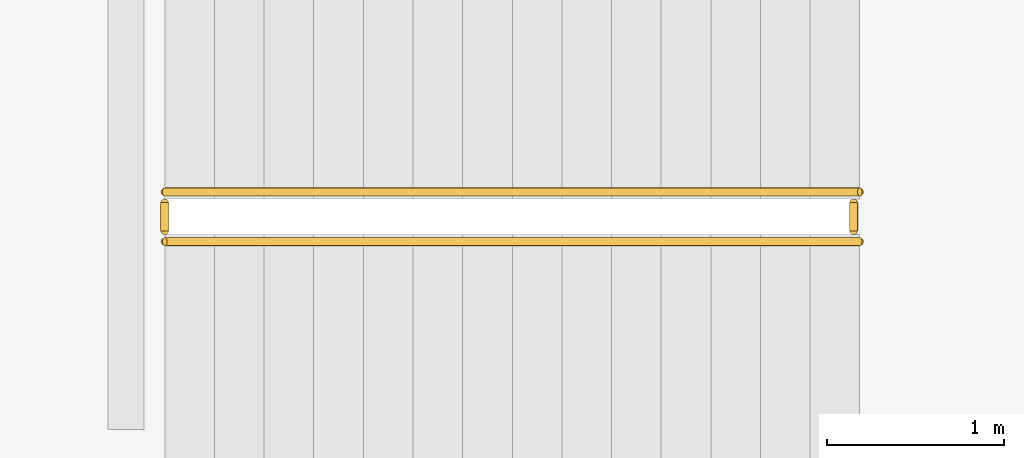
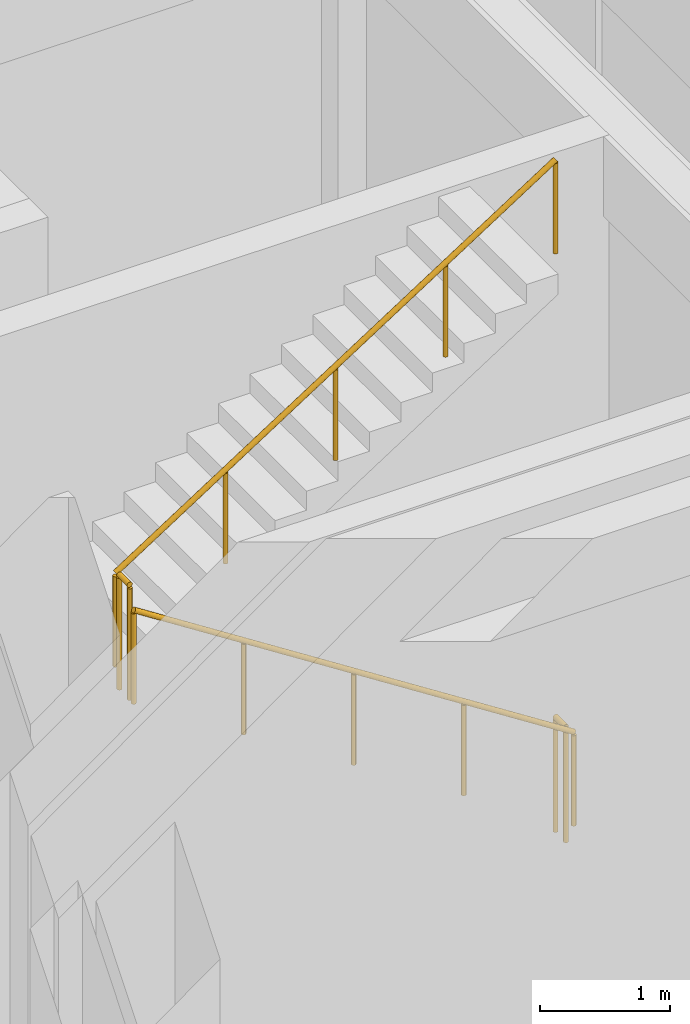
# One storey, part 40 of 46: 4 railings.
"""IFC4 building model written with IfcOpenShell, lengths in metres."""

from ifc_helpers import new_model, si_unit, direction, frame, origin, origin_2d, place, context, subcontext, project, spatial, circle, extrude, material, type_object, element, save


model = new_model("IFC4")

# Units and contexts
model_context = context("Model", 3, precision=1e-05, world=origin(), true_north=direction((0.0, 1.0)))
body_context = subcontext(model_context, "Body", "Model", "MODEL_VIEW")
ifc_project = project(units=[si_unit("LENGTHUNIT", "METRE"), si_unit("AREAUNIT", "SQUARE_METRE"), si_unit("VOLUMEUNIT", "CUBIC_METRE"), si_unit("PLANEANGLEUNIT", "RADIAN"), si_unit("MASSUNIT", "GRAM", prefix="KILO")], contexts=[model_context])

# Site, building, storey
site_placement = place(None, origin())
site = spatial("IfcSite", under=ifc_project, at=site_placement, CompositionType="ELEMENT")
building_placement = place(site_placement, origin())
building = spatial("IfcBuilding", under=site, at=building_placement, Name="Cinchona Park Media Centre", CompositionType="ELEMENT")
storey_placement = place(building_placement, origin())
storey = spatial("IfcBuildingStorey", under=building, at=storey_placement, Name="L00", CompositionType="ELEMENT", Elevation=0.0)

# Railings
ifc_material_1 = material(Name="Painted Steel Stairwell Guardrail", Category="steel")
railing_type_1 = type_object("IfcRailingType", Name="RAILING-GR02", PredefinedType="GUARDRAIL", material=ifc_material_1)
for number, where, name in (
    (1, (13.864990234375, 65.719970703125, 0.0), "Stairwell Guardrail GR02 ST3 L00"),
    (2, (9.97998046875, 65.719970703125, 2.699951171875), "Half-Landing Guardrail GR02 ST3 L00"),
):
    element("IfcRailing", number, at=place(storey_placement, frame(where)), inside=storey, type_object=railing_type_1, Name=name, PredefinedType="GUARDRAIL", context=body_context, shape_type="SweptSolid", body=[
        extrude(circle(Radius=0.02392578125, at=origin_2d()), frame((0.0, 0.0, 1.076171875), z_axis=(0.0, 1.0, 0.0), x_axis=(-1.0, 0.0, 0.0)), (0.0, 0.0, 1.0), 0.159912109375),
        extrude(circle(Radius=0.02099609375, at=origin_2d()), origin(), (0.0, 0.0, 1.0), 1.052001953125),
        extrude(circle(Radius=0.02099609375, at=origin_2d()), frame((0.0, 0.159912109375, 0.0)), (0.0, 0.0, 1.0), 1.052001953125),
    ])
ifc_material_2 = material(Name="Brushed Stainless Steel Handrail", Category="steel")
railing_type_2 = type_object("IfcRailingType", Name="RAILING-HR01", PredefinedType="HANDRAIL", material=ifc_material_2)
railing_1_placement = place(storey_placement, frame((13.89990234375, 65.659912109375, 0.179931640625)))
element("IfcRailing", 3, at=railing_1_placement, inside=storey, type_object=railing_type_2, Name="Stair Handrail HR01 ST3 L00 F1", PredefinedType="HANDRAIL", context=body_context, shape_type="SweptSolid", body=[
    extrude(circle(Radius=0.02392578125, at=origin_2d()), frame((0.0, 0.0, 0.8759765625), z_axis=(-0.841171666519, 0.0, 0.540768182723), x_axis=(0.0, -1.0, 0.0)), (0.0, 0.0, 1.0), 4.66015625),
    extrude(circle(Radius=0.02099609375, at=origin_2d()), origin(), (0.0, 0.0, 1.0), 0.851806640625),
    extrude(circle(Radius=0.02099609375, at=origin_2d()), frame((-0.97998046875, 0.0, 0.6298828125)), (0.0, 0.0, 1.0), 0.851806640625),
    extrude(circle(Radius=0.02099609375, at=origin_2d()), frame((-1.9599609375, 0.0, 1.260009765625)), (0.0, 0.0, 1.0), 0.851806640625),
    extrude(circle(Radius=0.02099609375, at=origin_2d()), frame((-2.93994140625, 0.0, 1.89013671875)), (0.0, 0.0, 1.0), 0.851806640625),
    extrude(circle(Radius=0.02099609375, at=origin_2d()), frame((-3.919921875, 0.0, 2.52001953125)), (0.0, 0.0, 1.0), 0.851806640625),
])
railing_2_placement = place(storey_placement, frame((9.97998046875, 65.93994140625, 2.8798828125)))
element("IfcRailing", 4, at=railing_2_placement, inside=storey, type_object=railing_type_2, Name="Stair Handrail HR01 ST3 L00 F2", PredefinedType="HANDRAIL", context=body_context, shape_type="SweptSolid", body=[
    extrude(circle(Radius=0.02392578125, at=origin_2d()), frame((0.0, 0.0, 0.8759765625), z_axis=(0.841171666519, 0.0, 0.540768182723), x_axis=(0.0, 1.0, 0.0)), (0.0, 0.0, 1.0), 4.66015625),
    extrude(circle(Radius=0.02099609375, at=origin_2d()), origin(), (0.0, 0.0, 1.0), 0.851806640625),
    extrude(circle(Radius=0.02099609375, at=origin_2d()), frame((0.97998046875, 0.0, 0.6298828125)), (0.0, 0.0, 1.0), 0.851806640625),
    extrude(circle(Radius=0.02099609375, at=origin_2d()), frame((1.9599609375, 0.0, 1.260009765625)), (0.0, 0.0, 1.0), 0.851806640625),
    extrude(circle(Radius=0.02099609375, at=origin_2d()), frame((2.93994140625, 0.0, 1.89013671875)), (0.0, 0.0, 1.0), 0.851806640625),
    extrude(circle(Radius=0.02099609375, at=origin_2d()), frame((3.919921875, 0.0, 2.52001953125)), (0.0, 0.0, 1.0), 0.851806640625),
])

save(model, "model.ifc")
